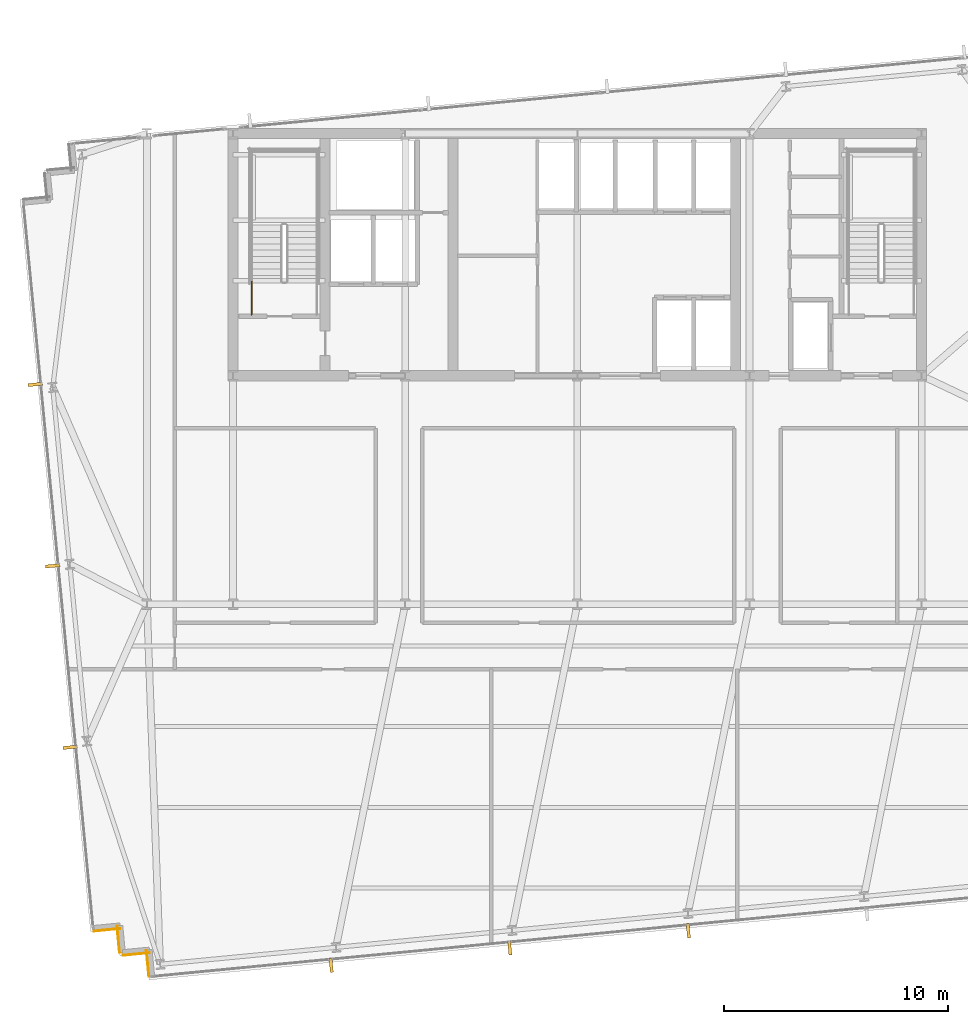
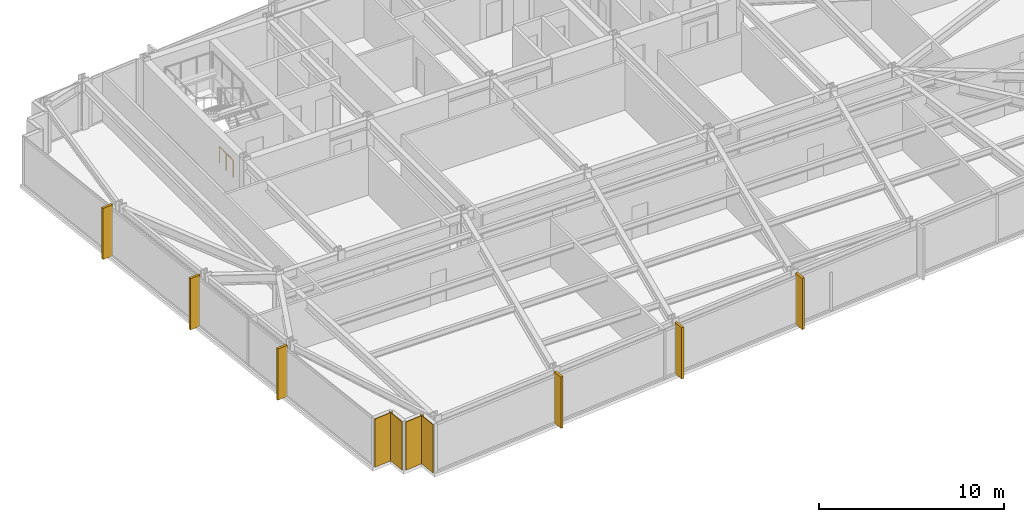
# One storey, part 27 of 32: 6 shading devices, 4 coverings, 1 railing.
"""IFC4 building model written with IfcOpenShell, lengths in metres."""

from ifc_helpers import new_model, si_unit, direction, frame, frame_2d, origin, origin_2d, place, context, subcontext, project, spatial, rectangle, circle, extrude, material, layer, layer_set, type_object, element, save


model = new_model("IFC4")

# Units and contexts
model_context = context("Model", 3, precision=1e-05, world=origin(), true_north=direction((0.0, 1.0)))
body_context = subcontext(model_context, "Body", "Model", "MODEL_VIEW")
ifc_project = project(units=[si_unit("LENGTHUNIT", "METRE"), si_unit("AREAUNIT", "SQUARE_METRE"), si_unit("VOLUMEUNIT", "CUBIC_METRE"), si_unit("PLANEANGLEUNIT", "RADIAN"), si_unit("MASSUNIT", "GRAM", prefix="KILO")], contexts=[model_context])

# Site, building, storey
site_placement = place(None, origin())
site = spatial("IfcSite", under=ifc_project, at=site_placement, CompositionType="ELEMENT")
building_placement = place(site_placement, origin())
building = spatial("IfcBuilding", under=site, at=building_placement, Name="Yelkora Congress Tower", CompositionType="ELEMENT")
storey_placement = place(building_placement, frame((0.0, 0.0, 103.300048828125)))
storey = spatial("IfcBuildingStorey", under=building, at=storey_placement, Name="L27", CompositionType="ELEMENT", Elevation=103.300048828125)

# Coverings
ifc_material_1 = material(Name="Anatolian bush-hammered limestone", Category="masonry")
ifc_layer_1 = layer(ifc_material_1, 0.0400390625)
ifc_layer_set_1 = layer_set([ifc_layer_1], Name="Anatolian bush-hammered limestone")
covering_type = type_object("IfcCoveringType", Name="COV-CLAD-SPANDREL-40", PredefinedType="CLADDING", material=ifc_layer_set_1)
covering_1_placement = place(storey_placement, frame((19.29248046875, 8.58447265625, 0.0), z_axis=(0.0, 0.0, 1.0), x_axis=(-0.095836473879, 0.995397091755, 0.0)))
element("IfcCovering", 1, at=covering_1_placement, inside=storey, type_object=covering_type, Name="L27 Anatolian Limestone Cladding EW-L27-SR01", PredefinedType="CLADDING", context=body_context, shape_type="SweptSolid", body=[
    extrude(rectangle(XDim=1.199951171875, YDim=0.0400390625, at=frame_2d((0.60009765625, 0.0))), origin(), (0.0, 0.0, 1.0), 3.179931640625),
])
for number, where, z_axis, x_axis, name in (
    (2, (19.32470703125, 9.657470703125, 0.0), (0.0, 0.0, 1.0), (-0.995398960025, -0.095817067274, 0.0), "L27 Anatolian Limestone Cladding EW-L27-SR02"),
    (3, (17.98291015625, 9.663818359375, 0.0), (0.0, 0.0, 1.0), (-0.095817067274, 0.995398960025, 0.0), "L27 Anatolian Limestone Cladding EW-L27-SR03"),
):
    element("IfcCovering", number, at=place(storey_placement, frame(where, z_axis=z_axis, x_axis=x_axis)), inside=storey, type_object=covering_type, Name=name, PredefinedType="CLADDING", context=body_context, shape_type="SweptSolid", body=[
        extrude(rectangle(XDim=1.2001953125, YDim=0.0400390625, at=frame_2d((0.60009765625, 0.0))), origin(), (0.0, 0.0, 1.0), 3.179931640625),
    ])
covering_2_placement = place(storey_placement, frame((18.01513671875, 10.737060546875, 0.0), z_axis=(0.0, 0.0, 1.0), x_axis=(-0.995397091755, -0.095836473879, 0.0)))
element("IfcCovering", 4, at=covering_2_placement, inside=storey, type_object=covering_type, Name="L27 Anatolian Limestone Cladding EW-L27-SR04", PredefinedType="CLADDING", context=body_context, shape_type="SweptSolid", body=[
    extrude(rectangle(XDim=1.199951171875, YDim=0.0400390625, at=frame_2d((0.60009765625, 0.0))), origin(), (0.0, 0.0, 1.0), 3.179931640625),
])

# Railing
ifc_material_2 = material(Name="Painted galvanised steel stair well guard with vertical infill", Category="steel")
ifc_layer_2 = layer(ifc_material_2, 0.06005859375)
ifc_layer_set_2 = layer_set([ifc_layer_2], Name="Painted galvanised steel stair well guard with vertical infill")
railing_type = type_object("IfcRailingType", Name="RAIL-STAIR-GUARD-1120", PredefinedType="GUARDRAIL", material=ifc_layer_set_2)
railing_placement = place(storey_placement, frame((23.8701171875, 38.1201171875, 0.0)))
element("IfcRailing", 5, at=railing_placement, inside=storey, type_object=railing_type, Name="ST-01 L27 Stair Well Guardrail 9", PredefinedType="GUARDRAIL", context=body_context, shape_type="SweptSolid", body=[
    extrude(circle(Radius=0.02392578125, at=origin_2d()), frame((0.0, 0.0, 1.09619140625), z_axis=(0.0, 1.0, 0.0), x_axis=(-1.0, 0.0, 0.0)), (0.0, 0.0, 1.0), 1.47998046875),
    extrude(circle(Radius=0.02099609375, at=origin_2d()), origin(), (0.0, 0.0, 1.0), 1.072021484375),
    extrude(circle(Radius=0.02099609375, at=origin_2d()), frame((0.0, 0.739990234375, 0.0)), (0.0, 0.0, 1.0), 1.072021484375),
    extrude(circle(Radius=0.02099609375, at=origin_2d()), frame((0.0, 1.47998046875, 0.0)), (0.0, 0.0, 1.0), 1.072021484375),
])

# Shading devices
ifc_material_3 = material(Name="Champagne anodised aluminium", Category="aluminium")
ifc_layer_3 = layer(ifc_material_3, 3.39990234375)
ifc_layer_set_3 = layer_set([ifc_layer_3], Name="Champagne anodised aluminium")
shading_device_type = type_object("IfcShadingDeviceType", Name="SHD-FIN-ALU-640", PredefinedType="USERDEFINED", material=ifc_layer_set_3)
for number, where, z_axis, x_axis, name in (
    (6, (15.769775390625, 18.823974609375, -0.030029296875), (0.0, 0.0, 1.0), (-0.09584575252, 0.995396198367, 0.0), "L27 Vertical Anodised Solar Fin 5-1"),
    (7, (14.990478515625, 26.91650390625, -0.030029296875), (0.0, 0.0, 1.0), (-0.09584575252, 0.995396198367, 0.0), "L27 Vertical Anodised Solar Fin 5-2"),
    (8, (14.211181640625, 35.00927734375, -0.030029296875), (0.0, 0.0, 1.0), (-0.09584575252, 0.995396198367, 0.0), "L27 Vertical Anodised Solar Fin 5-3"),
    (9, (43.349609375, 10.639892578125, -0.030029296875), (0.0, 0.0, 1.0), (-0.995396198367, -0.09584575252, 0.0), "L27 Vertical Anodised Solar Fin 20-4"),
    (10, (35.3837890625, 9.872802734375, -0.030029296875), (0.0, 0.0, 1.0), (-0.995396198367, -0.09584575252, 0.0), "L27 Vertical Anodised Solar Fin 20-5"),
    (11, (27.417724609375, 9.105712890625, -0.030029296875), (0.0, 0.0, 1.0), (-0.995396198367, -0.09584575252, 0.0), "L27 Vertical Anodised Solar Fin 20-6"),
):
    element("IfcShadingDevice", number, at=place(storey_placement, frame(where, z_axis=z_axis, x_axis=x_axis)), inside=storey, type_object=shading_device_type, Name=name, ObjectType="FIN", PredefinedType="USERDEFINED", context=body_context, shape_type="SweptSolid", body=[
        extrude(rectangle(XDim=0.139892578125, YDim=0.639892578125, at=origin_2d()), origin(), (0.0, 0.0, 1.0), 3.3798828125),
    ])

save(model, "model.ifc")
